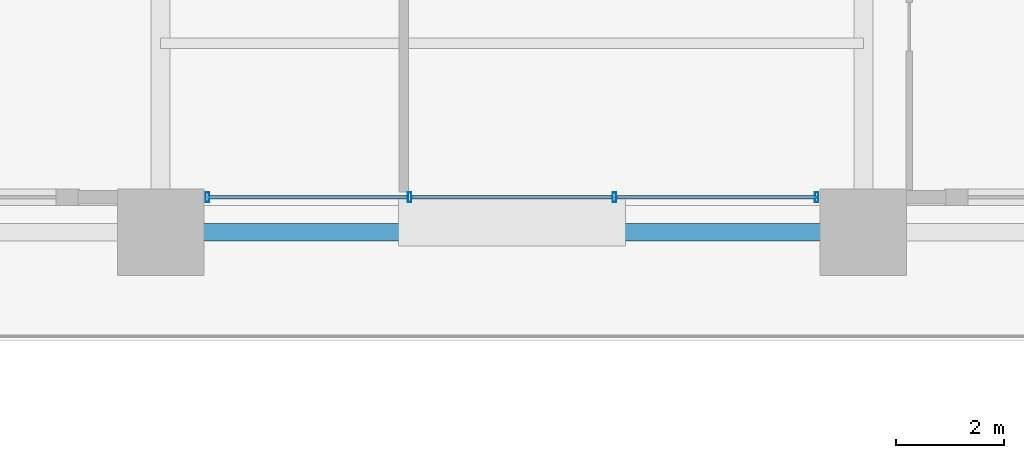
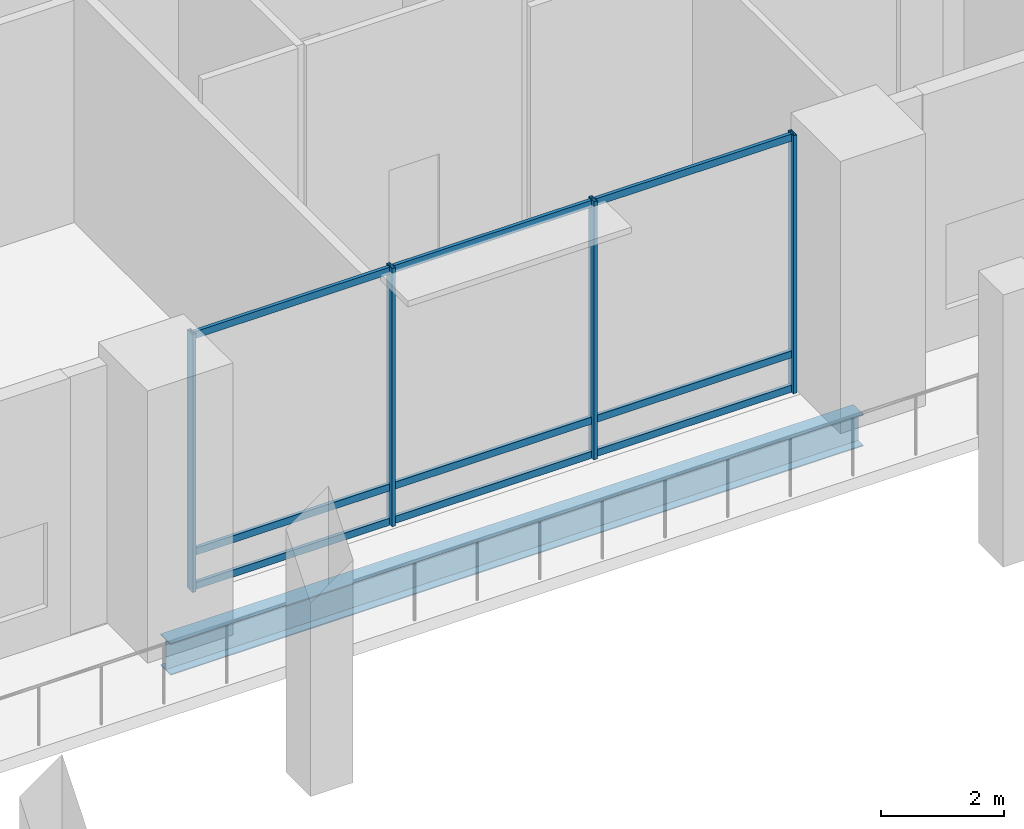
# One storey, part 3 of 22: 13 members, 1 beam, 1 element without a shape of its own.
"""IFC4 building model written with IfcOpenShell, lengths in metres."""

from ifc_helpers import new_model, si_unit, direction, frame, origin, origin_2d, place, context, subcontext, project, spatial, hollow_rectangle, i_section, extrude, material, layer, layer_set, material_profile, profile_set, type_object, element, aggregate, save


model = new_model("IFC4")

# Units and contexts
model_context = context("Model", 3, precision=1e-05, world=origin(), true_north=direction((0.0, 1.0)))
body_context = subcontext(model_context, "Body", "Model", "MODEL_VIEW")
ifc_project = project(units=[si_unit("LENGTHUNIT", "METRE"), si_unit("AREAUNIT", "SQUARE_METRE"), si_unit("VOLUMEUNIT", "CUBIC_METRE"), si_unit("PLANEANGLEUNIT", "RADIAN"), si_unit("MASSUNIT", "GRAM", prefix="KILO")], contexts=[model_context])

# Site, building, storey
site_placement = place(None, origin())
site = spatial("IfcSite", under=ifc_project, at=site_placement, CompositionType="ELEMENT")
building_placement = place(site_placement, origin())
building = spatial("IfcBuilding", under=site, at=building_placement, Name="Barlavira Tower and Art Museum", CompositionType="ELEMENT")
storey_placement = place(building_placement, frame((0.0, 0.0, 16.800048828125)))
storey = spatial("IfcBuildingStorey", under=building, at=storey_placement, Name="L03", CompositionType="ELEMENT", Elevation=16.800048828125)

# Curtain wall, members
ifc_material_1 = material(Name="Low-iron coastal laminated glass", Category="glass")
ifc_layer = layer(ifc_material_1, 0.179931640625, Name="Low-iron coastal laminated glass")
ifc_layer_set = layer_set([ifc_layer], Name="Low-iron coastal laminated glass")
curtain_wall_type = type_object("IfcCurtainWallType", Name="Pale-Metal Unitised Curtain Wall Zone 1", PredefinedType="NOTDEFINED", material=ifc_layer_set)
curtain_wall_placement = place(storey_placement, origin())
curtain_wall = element("IfcCurtainWall", 1, at=curtain_wall_placement, inside=storey, type_object=curtain_wall_type, Name="L03 Curtain Wall CW1-L03-S-B2", PredefinedType="NOTDEFINED")
ifc_material_2 = material(Name="Pale anodised aluminium", Category="aluminium")
ifc_material_profile_1 = material_profile(ifc_material_2, hollow_rectangle(XDim=0.06494140625, YDim=0.179931640625, WallThickness=0.00390625, at=origin_2d()), Name="ALU-MULL 65x180x4")
ifc_profile_set_1 = profile_set([ifc_material_profile_1], Name="Pale anodised aluminium")
member_type_1 = type_object("IfcMemberType", Name="Curtain Wall Pale-Metal Mullion 65x180", PredefinedType="MULLION", material=ifc_profile_set_1)
member_1_placement = place(storey_placement, frame((-5.635009765625, -19.35009765625, 0.0), z_axis=(0.0, 0.0, 1.0), x_axis=(1.0, 0.0, 0.0)))
member_1 = element("IfcMember", 2, at=member_1_placement, type_object=member_type_1, Name="CW1-L03-S-B2 Mullion 0", PredefinedType="MULLION", context=body_context, shape_type="SweptSolid", body=[
    extrude(hollow_rectangle(XDim=0.06494140625, YDim=0.179931640625, WallThickness=0.00390625, at=origin_2d()), origin(), (0.0, 0.0, 1.0), 5.119873046875),
])
member_2_placement = place(storey_placement, frame((-1.893310546875, -19.35009765625, 0.0), z_axis=(0.0, 0.0, 1.0), x_axis=(1.0, 0.0, 0.0)))
member_2 = element("IfcMember", 3, at=member_2_placement, type_object=member_type_1, Name="CW1-L03-S-B2 Mullion 1", PredefinedType="MULLION", context=body_context, shape_type="SweptSolid", body=[
    extrude(hollow_rectangle(XDim=0.06494140625, YDim=0.179931640625, WallThickness=0.00390625, at=origin_2d()), origin(), (0.0, 0.0, 1.0), 5.119873046875),
])
member_3_placement = place(storey_placement, frame((1.893310546875, -19.35009765625, 0.0), z_axis=(0.0, 0.0, 1.0), x_axis=(1.0, 0.0, 0.0)))
member_3 = element("IfcMember", 4, at=member_3_placement, type_object=member_type_1, Name="CW1-L03-S-B2 Mullion 2", PredefinedType="MULLION", context=body_context, shape_type="SweptSolid", body=[
    extrude(hollow_rectangle(XDim=0.06494140625, YDim=0.179931640625, WallThickness=0.00390625, at=origin_2d()), origin(), (0.0, 0.0, 1.0), 5.119873046875),
])
member_4_placement = place(storey_placement, frame((5.635009765625, -19.35009765625, 0.0), z_axis=(0.0, 0.0, 1.0), x_axis=(1.0, 0.0, 0.0)))
member_4 = element("IfcMember", 5, at=member_4_placement, type_object=member_type_1, Name="CW1-L03-S-B2 Mullion 3", PredefinedType="MULLION", context=body_context, shape_type="SweptSolid", body=[
    extrude(hollow_rectangle(XDim=0.06494140625, YDim=0.179931640625, WallThickness=0.00390625, at=origin_2d()), origin(), (0.0, 0.0, 1.0), 5.119873046875),
])
ifc_material_profile_2 = material_profile(ifc_material_2, hollow_rectangle(XDim=0.06494140625, YDim=0.139892578125, WallThickness=0.00390625, at=origin_2d()), Name="ALU-TRAN 65x140x4")
ifc_profile_set_2 = profile_set([ifc_material_profile_2], Name="Pale anodised aluminium")
member_type_2 = type_object("IfcMemberType", Name="Curtain Wall Pale-Metal Transom 65x140", PredefinedType="USERDEFINED", material=ifc_profile_set_2)
member_5_placement = place(storey_placement, frame((-5.635009765625, -19.35009765625, 0.070068359375), z_axis=(1.0, 0.0, 0.0), x_axis=(0.0, 1.0, 0.0)))
member_5 = element("IfcMember", 6, at=member_5_placement, type_object=member_type_2, Name="CW1-L03-S-B2 Transom 0.1", ObjectType="TRANSOM", PredefinedType="USERDEFINED", context=body_context, shape_type="SweptSolid", body=[
    extrude(hollow_rectangle(XDim=0.06494140625, YDim=0.139892578125, WallThickness=0.00390625, at=origin_2d()), origin(), (0.0, 0.0, 1.0), 3.69677734375),
])
member_6_placement = place(storey_placement, frame((-5.635009765625, -19.35009765625, 0.75), z_axis=(1.0, 0.0, 0.0), x_axis=(0.0, 1.0, 0.0)))
member_6 = element("IfcMember", 7, at=member_6_placement, type_object=member_type_2, Name="CW1-L03-S-B2 Transom 0.2", ObjectType="TRANSOM", PredefinedType="USERDEFINED", context=body_context, shape_type="SweptSolid", body=[
    extrude(hollow_rectangle(XDim=0.06494140625, YDim=0.139892578125, WallThickness=0.00390625, at=origin_2d()), origin(), (0.0, 0.0, 1.0), 3.69677734375),
])
member_7_placement = place(storey_placement, frame((-5.635009765625, -19.35009765625, 5.050048828125), z_axis=(1.0, 0.0, 0.0), x_axis=(0.0, 1.0, 0.0)))
member_7 = element("IfcMember", 8, at=member_7_placement, type_object=member_type_2, Name="CW1-L03-S-B2 Transom 0.3", ObjectType="TRANSOM", PredefinedType="USERDEFINED", context=body_context, shape_type="SweptSolid", body=[
    extrude(hollow_rectangle(XDim=0.06494140625, YDim=0.139892578125, WallThickness=0.00390625, at=origin_2d()), origin(), (0.0, 0.0, 1.0), 3.69677734375),
])
member_8_placement = place(storey_placement, frame((-1.848388671875, -19.35009765625, 0.070068359375), z_axis=(1.0, 0.0, 0.0), x_axis=(0.0, 1.0, 0.0)))
member_8 = element("IfcMember", 9, at=member_8_placement, type_object=member_type_2, Name="CW1-L03-S-B2 Transom 1.1", ObjectType="TRANSOM", PredefinedType="USERDEFINED", context=body_context, shape_type="SweptSolid", body=[
    extrude(hollow_rectangle(XDim=0.06494140625, YDim=0.139892578125, WallThickness=0.00390625, at=origin_2d()), origin(), (0.0, 0.0, 1.0), 3.69677734375),
])
member_9_placement = place(storey_placement, frame((-1.848388671875, -19.35009765625, 0.75), z_axis=(1.0, 0.0, 0.0), x_axis=(0.0, 1.0, 0.0)))
member_9 = element("IfcMember", 10, at=member_9_placement, type_object=member_type_2, Name="CW1-L03-S-B2 Transom 1.2", ObjectType="TRANSOM", PredefinedType="USERDEFINED", context=body_context, shape_type="SweptSolid", body=[
    extrude(hollow_rectangle(XDim=0.06494140625, YDim=0.139892578125, WallThickness=0.00390625, at=origin_2d()), origin(), (0.0, 0.0, 1.0), 3.69677734375),
])
member_10_placement = place(storey_placement, frame((-1.848388671875, -19.35009765625, 5.050048828125), z_axis=(1.0, 0.0, 0.0), x_axis=(0.0, 1.0, 0.0)))
member_10 = element("IfcMember", 11, at=member_10_placement, type_object=member_type_2, Name="CW1-L03-S-B2 Transom 1.3", ObjectType="TRANSOM", PredefinedType="USERDEFINED", context=body_context, shape_type="SweptSolid", body=[
    extrude(hollow_rectangle(XDim=0.06494140625, YDim=0.139892578125, WallThickness=0.00390625, at=origin_2d()), origin(), (0.0, 0.0, 1.0), 3.69677734375),
])
member_11_placement = place(storey_placement, frame((1.938232421875, -19.35009765625, 0.070068359375), z_axis=(1.0, 0.0, 0.0), x_axis=(0.0, 1.0, 0.0)))
member_11 = element("IfcMember", 12, at=member_11_placement, type_object=member_type_2, Name="CW1-L03-S-B2 Transom 2.1", ObjectType="TRANSOM", PredefinedType="USERDEFINED", context=body_context, shape_type="SweptSolid", body=[
    extrude(hollow_rectangle(XDim=0.06494140625, YDim=0.139892578125, WallThickness=0.00390625, at=origin_2d()), origin(), (0.0, 0.0, 1.0), 3.69677734375),
])
member_12_placement = place(storey_placement, frame((1.938232421875, -19.35009765625, 0.75), z_axis=(1.0, 0.0, 0.0), x_axis=(0.0, 1.0, 0.0)))
member_12 = element("IfcMember", 13, at=member_12_placement, type_object=member_type_2, Name="CW1-L03-S-B2 Transom 2.2", ObjectType="TRANSOM", PredefinedType="USERDEFINED", context=body_context, shape_type="SweptSolid", body=[
    extrude(hollow_rectangle(XDim=0.06494140625, YDim=0.139892578125, WallThickness=0.00390625, at=origin_2d()), origin(), (0.0, 0.0, 1.0), 3.69677734375),
])
member_13_placement = place(storey_placement, frame((1.938232421875, -19.35009765625, 5.050048828125), z_axis=(1.0, 0.0, 0.0), x_axis=(0.0, 1.0, 0.0)))
member_13 = element("IfcMember", 14, at=member_13_placement, type_object=member_type_2, Name="CW1-L03-S-B2 Transom 2.3", ObjectType="TRANSOM", PredefinedType="USERDEFINED", context=body_context, shape_type="SweptSolid", body=[
    extrude(hollow_rectangle(XDim=0.06494140625, YDim=0.139892578125, WallThickness=0.00390625, at=origin_2d()), origin(), (0.0, 0.0, 1.0), 3.69677734375),
])
aggregate(curtain_wall, [member_1, member_2, member_3, member_4, member_5, member_6, member_7, member_8, member_9, member_10, member_11, member_12, member_13])

# Beam
ifc_material_3 = material(Name="Steel S355", Category="steel")
ifc_material_profile_3 = material_profile(ifc_material_3, i_section(OverallWidth=0.327880859375, OverallDepth=0.62890625, WebThickness=0.013916015625, FlangeThickness=0.021484375, at=origin_2d()), Name="W610x174.0")
ifc_profile_set_3 = profile_set([ifc_material_profile_3], Name="Steel S355")
beam_type = type_object("IfcBeamType", Name="Perimeter Spandrel Edge Beam W610x174 Steel S355", PredefinedType="SPANDREL", material=ifc_profile_set_3)
beam_placement = place(storey_placement, frame((-6.5, -20.0, -0.594482421875), z_axis=(1.0, 0.0, 0.0), x_axis=(0.0, 1.0, 0.0)))
element("IfcBeam", 15, at=beam_placement, inside=storey, type_object=beam_type, Name="L03 Podium Spandrel PS3", PredefinedType="SPANDREL", context=body_context, shape_type="SweptSolid", body=[
    extrude(i_section(OverallWidth=0.327880859375, OverallDepth=0.62890625, WebThickness=0.013916015625, FlangeThickness=0.021484375, at=origin_2d()), origin(), (0.0, 0.0, 1.0), 13.0),
])

save(model, "model.ifc")
